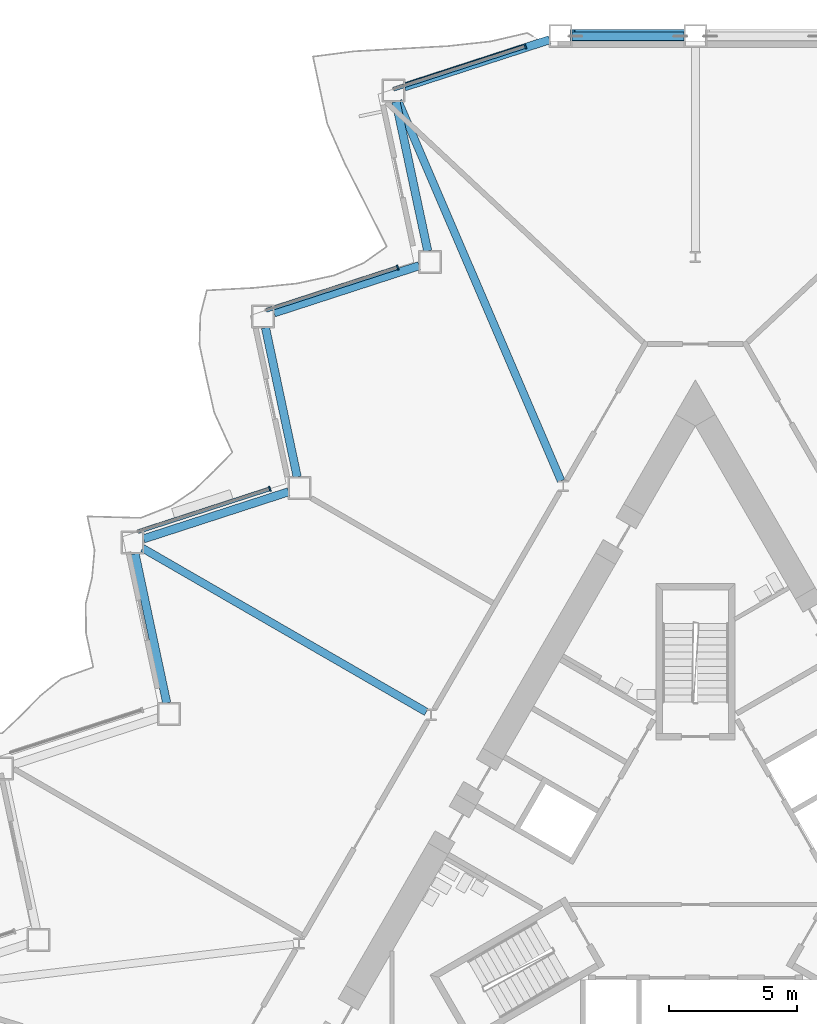
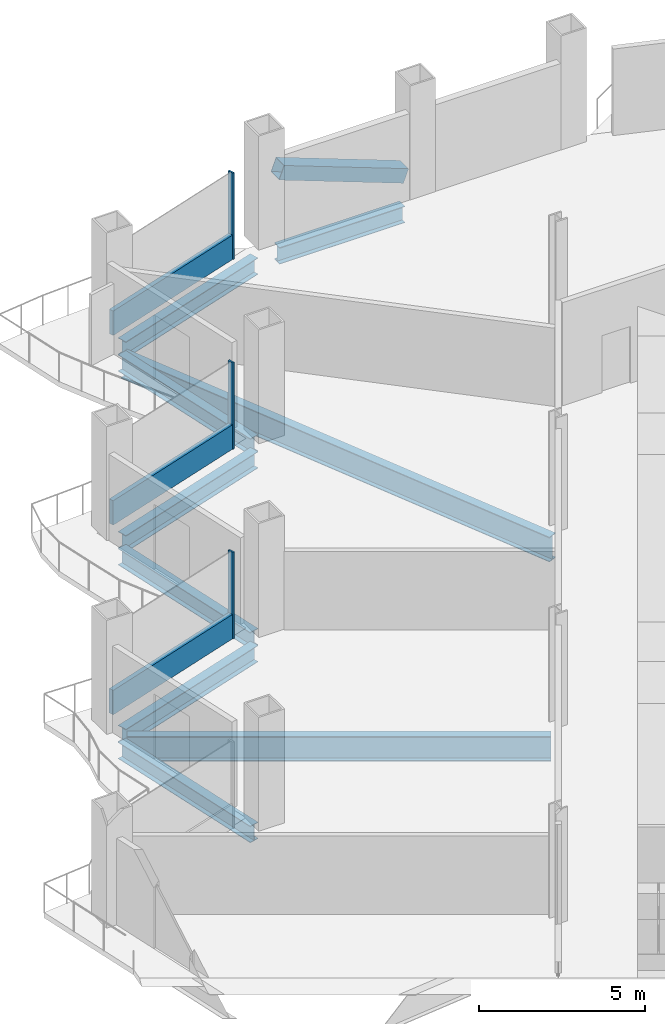
# One storey, part 7 of 21: 9 beams, 7 members, 3 elements without a shape of their own.
"""IFC4 building model written with IfcOpenShell, lengths in metres."""

from ifc_helpers import new_model, si_unit, direction, frame, origin, origin_2d, place, context, subcontext, project, spatial, rectangle, hollow_rectangle, i_section, extrude, material, layer, layer_set, material_profile, profile_set, type_object, element, aggregate, save


model = new_model("IFC4")

# Units and contexts
model_context = context("Model", 3, precision=1e-05, world=origin(), true_north=direction((0.0, 1.0)))
body_context = subcontext(model_context, "Body", "Model", "MODEL_VIEW")
ifc_project = project(units=[si_unit("LENGTHUNIT", "METRE"), si_unit("AREAUNIT", "SQUARE_METRE"), si_unit("VOLUMEUNIT", "CUBIC_METRE"), si_unit("PLANEANGLEUNIT", "RADIAN"), si_unit("MASSUNIT", "GRAM", prefix="KILO")], contexts=[model_context])

# Site, building, storey
site_placement = place(None, origin())
site = spatial("IfcSite", under=ifc_project, at=site_placement, CompositionType="ELEMENT")
building_placement = place(site_placement, origin())
building = spatial("IfcBuilding", under=site, at=building_placement, Name="Cormorant Prow Tower", CompositionType="ELEMENT")
storey_placement = place(building_placement, frame((0.0, 0.0, 103.800048828125)))
storey = spatial("IfcBuildingStorey", under=building, at=storey_placement, Name="L21", CompositionType="ELEMENT", Elevation=103.800048828125)

# Member
ifc_material_1 = material(Name="Structural steel ASTM A500 Gr C", Category="steel")
ifc_material_profile_1 = material_profile(ifc_material_1, hollow_rectangle(XDim=0.508056640625, YDim=0.508056640625, WallThickness=0.014892578125, at=origin_2d()), Name="HSS20x20x5/8")
ifc_profile_set_1 = profile_set([ifc_material_profile_1], Name="Structural steel ASTM A500 Gr C")
member_type_1 = type_object("IfcMemberType", Name="Chamfer brace HSS20x20x5/8", PredefinedType="BRACE", material=ifc_profile_set_1)
member_1_placement = place(storey_placement, frame((-0.4677734375, 32.487060546875, 0.776611328125), z_axis=(-0.935582009332, 0.0, 0.353109478511), x_axis=(0.0, -1.0, 0.0)))
element("IfcMember", 1, at=member_1_placement, inside=storey, type_object=member_type_1, Name="Chamfer brace BR1 at N01 L21", PredefinedType="BRACE", context=body_context, shape_type="SweptSolid", body=[
    extrude(hollow_rectangle(XDim=0.508056640625, YDim=0.508056640625, WallThickness=0.014892578125, at=origin_2d()), origin(), (0.0, 0.0, 1.0), 4.63232421875),
])

# Curtain wall, member
ifc_material_2 = material(Name="Aluminium 6063-T6", Category="aluminium")
ifc_layer = layer(ifc_material_2, 0.199951171875)
ifc_layer_set = layer_set([ifc_layer], Name="Aluminium 6063-T6")
curtain_wall_type = type_object("IfcCurtainWallType", Name="Office unitised curtain wall 200", PredefinedType="NOTDEFINED", material=ifc_layer_set)
curtain_wall_1_placement = place(storey_placement, origin())
curtain_wall_1 = element("IfcCurtainWall", 2, at=curtain_wall_1_placement, inside=storey, type_object=curtain_wall_type, Name="Office curtain wall WNW00", PredefinedType="NOTDEFINED")
ifc_material_3 = material(Name="Aluminium 6063-T6", Category="aluminium")
ifc_material_profile_2 = material_profile(ifc_material_3, rectangle(XDim=0.199951171875, YDim=0.06005859375, at=origin_2d()), Name="Office mullion 60x200")
ifc_profile_set_2 = profile_set([ifc_material_profile_2], Name="Aluminium 6063-T6")
member_type_2 = type_object("IfcMemberType", Name="Office mullion 60x200", PredefinedType="MULLION", material=ifc_profile_set_2)
member_2_placement = place(storey_placement, frame((-6.645751953125, 32.090576171875, 0.0), z_axis=(0.0, 0.0, 1.0), x_axis=(0.309016933855, -0.951056535959, 0.0)))
member_2 = element("IfcMember", 3, at=member_2_placement, type_object=member_type_2, Name="Office mullion WNW00", PredefinedType="MULLION", context=body_context, shape_type="SweptSolid", body=[
    extrude(rectangle(XDim=0.199951171875, YDim=0.06005859375, at=origin_2d()), origin(), (0.0, 0.0, 1.0), 3.18896484375),
])

curtain_wall_2_placement = place(storey_placement, origin())
curtain_wall_2 = element("IfcCurtainWall", 4, at=curtain_wall_2_placement, inside=storey, type_object=curtain_wall_type, Name="Office curtain wall WNW02", PredefinedType="NOTDEFINED")
member_3_placement = place(storey_placement, frame((-11.638427734375, 23.443115234375, 0.0), z_axis=(0.0, 0.0, 1.0), x_axis=(0.309016933855, -0.951056535959, 0.0)))
member_3 = element("IfcMember", 5, at=member_3_placement, type_object=member_type_2, Name="Office mullion WNW02", PredefinedType="MULLION", context=body_context, shape_type="SweptSolid", body=[
    extrude(rectangle(XDim=0.199951171875, YDim=0.06005859375, at=origin_2d()), origin(), (0.0, 0.0, 1.0), 3.18896484375),
])

curtain_wall_3_placement = place(storey_placement, origin())
curtain_wall_3 = element("IfcCurtainWall", 6, at=curtain_wall_3_placement, inside=storey, type_object=curtain_wall_type, Name="Office curtain wall WNW04", PredefinedType="NOTDEFINED")
member_4_placement = place(storey_placement, frame((-16.631103515625, 14.79541015625, 0.0), z_axis=(0.0, 0.0, 1.0), x_axis=(0.309016933855, -0.951056535959, 0.0)))
member_4 = element("IfcMember", 7, at=member_4_placement, type_object=member_type_2, Name="Office mullion WNW04", PredefinedType="MULLION", context=body_context, shape_type="SweptSolid", body=[
    extrude(rectangle(XDim=0.199951171875, YDim=0.06005859375, at=origin_2d()), origin(), (0.0, 0.0, 1.0), 3.18896484375),
])

# Member
ifc_material_4 = material(Name="Terracotta", Category="masonry")
ifc_material_profile_3 = material_profile(ifc_material_4, rectangle(XDim=0.159912109375, YDim=0.89990234375, at=origin_2d()), Name="Office terracotta spandrel rail 160x900")
ifc_profile_set_3 = profile_set([ifc_material_profile_3], Name="Terracotta")
member_type_3 = type_object("IfcMemberType", Name="Office terracotta spandrel rail 160x900", PredefinedType="USERDEFINED", material=ifc_profile_set_3)
member_5_placement = place(storey_placement, frame((-6.674072265625, 32.081298828125, 0.449951171875), z_axis=(-0.951053718729, -0.309025604265, 0.0), x_axis=(0.309025604265, -0.951053718729, 0.0)))
member_5 = element("IfcMember", 8, at=member_5_placement, type_object=member_type_3, Name="Office spandrel rail WNW00", ObjectType="TRANSOM", PredefinedType="USERDEFINED", context=body_context, shape_type="SweptSolid", body=[
    extrude(rectangle(XDim=0.159912109375, YDim=0.89990234375, at=origin_2d()), origin(), (0.0, 0.0, 1.0), 5.386474609375),
])

aggregate(curtain_wall_1, [member_2, member_5])

member_6_placement = place(storey_placement, frame((-11.666748046875, 23.433837890625, 0.449951171875), z_axis=(-0.951053718729, -0.309025604265, 0.0), x_axis=(0.309025604265, -0.951053718729, 0.0)))
member_6 = element("IfcMember", 9, at=member_6_placement, type_object=member_type_3, Name="Office spandrel rail WNW02", ObjectType="TRANSOM", PredefinedType="USERDEFINED", context=body_context, shape_type="SweptSolid", body=[
    extrude(rectangle(XDim=0.159912109375, YDim=0.89990234375, at=origin_2d()), origin(), (0.0, 0.0, 1.0), 5.386474609375),
])

aggregate(curtain_wall_2, [member_3, member_6])

member_7_placement = place(storey_placement, frame((-16.659423828125, 14.7861328125, 0.449951171875), z_axis=(-0.951067039037, -0.30898460683, 0.0), x_axis=(0.30898460683, -0.951067039037, 0.0)))
member_7 = element("IfcMember", 10, at=member_7_placement, type_object=member_type_3, Name="Office spandrel rail WNW04", ObjectType="TRANSOM", PredefinedType="USERDEFINED", context=body_context, shape_type="SweptSolid", body=[
    extrude(rectangle(XDim=0.159912109375, YDim=0.89990234375, at=origin_2d()), origin(), (0.0, 0.0, 1.0), 5.386474609375),
])

aggregate(curtain_wall_3, [member_4, member_7])

# Beams
ifc_material_5 = material(Name="Structural steel ASTM A992 Gr 50", Category="steel")
ifc_material_profile_4 = material_profile(ifc_material_5, i_section(OverallWidth=0.3046875, OverallDepth=0.914794921875, WebThickness=0.0166015625, FlangeThickness=0.02587890625, at=origin_2d()), Name="W36x160")
ifc_profile_set_4 = profile_set([ifc_material_profile_4], Name="Structural steel ASTM A992 Gr 50")
beam_type_1 = type_object("IfcBeamType", Name="Radial floor beam W36x160", PredefinedType="BEAM", material=ifc_profile_set_4)
beam_1_placement = place(storey_placement, frame((-5.25, 15.107666015625, -0.857421875), z_axis=(-0.394273140268, 0.918993302948, 0.0), x_axis=(-0.918993302948, -0.394273140268, 0.0)))
element("IfcBeam", 11, at=beam_1_placement, inside=storey, type_object=beam_type_1, Name="Radial floor beam FB1 2 L21", PredefinedType="BEAM", context=body_context, shape_type="SweptSolid", body=[
    extrude(i_section(OverallWidth=0.3046875, OverallDepth=0.914794921875, WebThickness=0.0166015625, FlangeThickness=0.02587890625, at=origin_2d()), origin(), (0.0, 0.0, 1.0), 16.153564453125),
])
beam_2_placement = place(storey_placement, frame((-10.516845703125, 6.07177734375, -0.857421875), z_axis=(-0.866021760006, 0.500006311156, 0.0), x_axis=(-0.500006311156, -0.866021760006, 0.0)))
element("IfcBeam", 12, at=beam_2_placement, inside=storey, type_object=beam_type_1, Name="Radial floor beam FB1 3 L21", PredefinedType="BEAM", context=body_context, shape_type="SweptSolid", body=[
    extrude(i_section(OverallWidth=0.3046875, OverallDepth=0.914794921875, WebThickness=0.0166015625, FlangeThickness=0.02587890625, at=origin_2d()), origin(), (0.0, 0.0, 1.0), 12.805419921875),
])
ifc_material_6 = material(Name="Structural steel ASTM A992 Gr 50", Category="steel")
ifc_material_profile_5 = material_profile(ifc_material_6, i_section(OverallWidth=0.32373046875, OverallDepth=0.611083984375, WebThickness=0.0126953125, FlangeThickness=0.01904296875, at=origin_2d()), Name="W24x104")
ifc_profile_set_5 = profile_set([ifc_material_profile_5], Name="Structural steel ASTM A992 Gr 50")
beam_type_2 = type_object("IfcBeamType", Name="Spandrel beam W24x104", PredefinedType="SPANDREL", material=ifc_profile_set_5)
beam_3_placement = place(storey_placement, frame((-0.449951171875, 32.487060546875, -0.70556640625), z_axis=(-1.0, 0.0, 0.0), x_axis=(0.0, -1.0, 0.0)))
element("IfcBeam", 13, at=beam_3_placement, inside=storey, type_object=beam_type_2, Name="Spandrel beam SB1 N01-WNW00 L21", PredefinedType="SPANDREL", context=body_context, shape_type="SweptSolid", body=[
    extrude(i_section(OverallWidth=0.32373046875, OverallDepth=0.611083984375, WebThickness=0.0126953125, FlangeThickness=0.01904296875, at=origin_2d()), origin(), (0.0, 0.0, 1.0), 4.36962890625),
])
beam_4_placement = place(storey_placement, frame((-5.69775390625, 32.347900390625, -0.70556640625), z_axis=(-0.951055430656, -0.309020335608, 0.0), x_axis=(0.309020335608, -0.951055430656, 0.0)))
element("IfcBeam", 14, at=beam_4_placement, inside=storey, type_object=beam_type_2, Name="Spandrel beam SB1 WNW00-WNW01 L21", PredefinedType="SPANDREL", context=body_context, shape_type="SweptSolid", body=[
    extrude(i_section(OverallWidth=0.32373046875, OverallDepth=0.611083984375, WebThickness=0.0126953125, FlangeThickness=0.01904296875, at=origin_2d()), origin(), (0.0, 0.0, 1.0), 5.96240234375),
])
beam_5_placement = place(storey_placement, frame((-11.702880859375, 29.926025390625, -0.70556640625), z_axis=(0.207920947907, -0.978145633033, 0.0), x_axis=(0.978145633033, 0.207920947907, 0.0)))
element("IfcBeam", 15, at=beam_5_placement, inside=storey, type_object=beam_type_2, Name="Spandrel beam SB1 WNW01-WNW02 L21", PredefinedType="SPANDREL", context=body_context, shape_type="SweptSolid", body=[
    extrude(i_section(OverallWidth=0.32373046875, OverallDepth=0.611083984375, WebThickness=0.0126953125, FlangeThickness=0.01904296875, at=origin_2d()), origin(), (0.0, 0.0, 1.0), 5.962646484375),
])
beam_6_placement = place(storey_placement, frame((-10.797607421875, 23.5146484375, -0.70556640625), z_axis=(-0.95104730696, -0.309045336358, 0.0), x_axis=(0.309045336358, -0.95104730696, 0.0)))
element("IfcBeam", 16, at=beam_6_placement, inside=storey, type_object=beam_type_2, Name="Spandrel beam SB1 WNW02-WNW03 L21", PredefinedType="SPANDREL", context=body_context, shape_type="SweptSolid", body=[
    extrude(i_section(OverallWidth=0.32373046875, OverallDepth=0.611083984375, WebThickness=0.0126953125, FlangeThickness=0.01904296875, at=origin_2d()), origin(), (0.0, 0.0, 1.0), 5.962890625),
])
for number, where, z_axis, x_axis, name in (
    (17, (-16.802734375, 21.0927734375, -0.70556640625), (0.207920947907, -0.978145633033, 0.0), (0.978145633033, 0.207920947907, 0.0), "Spandrel beam SB1 WNW03-WNW04 L21"),
    (18, (-15.8974609375, 14.68115234375, -0.70556640625), (-0.951059340519, -0.309008302174, 0.0), (0.309008302174, -0.951059340519, 0.0), "Spandrel beam SB1 WNW04-WNW05 L21"),
):
    element("IfcBeam", number, at=place(storey_placement, frame(where, z_axis=z_axis, x_axis=x_axis)), inside=storey, type_object=beam_type_2, Name=name, PredefinedType="SPANDREL", context=body_context, shape_type="SweptSolid", body=[
        extrude(i_section(OverallWidth=0.32373046875, OverallDepth=0.611083984375, WebThickness=0.0126953125, FlangeThickness=0.01904296875, at=origin_2d()), origin(), (0.0, 0.0, 1.0), 5.962646484375),
    ])
beam_7_placement = place(storey_placement, frame((-21.90283203125, 12.259521484375, -0.70556640625), z_axis=(0.207912620873, -0.978147403044, 0.0), x_axis=(0.978147403044, 0.207912620873, 0.0)))
element("IfcBeam", 19, at=beam_7_placement, inside=storey, type_object=beam_type_2, Name="Spandrel beam SB1 WNW05-WNW06 L21", PredefinedType="SPANDREL", context=body_context, shape_type="SweptSolid", body=[
    extrude(i_section(OverallWidth=0.32373046875, OverallDepth=0.611083984375, WebThickness=0.0126953125, FlangeThickness=0.01904296875, at=origin_2d()), origin(), (0.0, 0.0, 1.0), 5.962890625),
])

save(model, "model.ifc")
